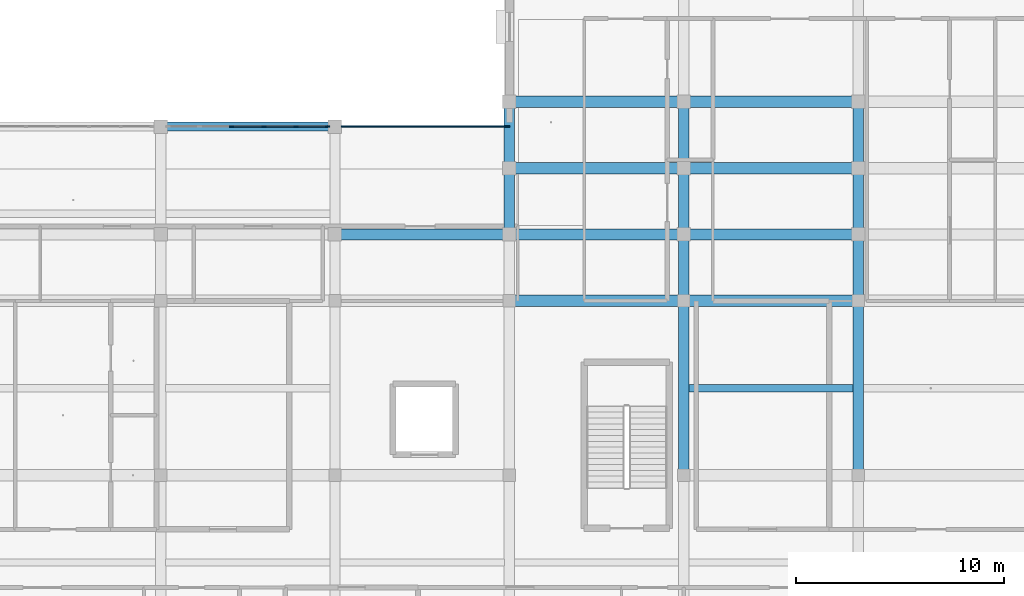
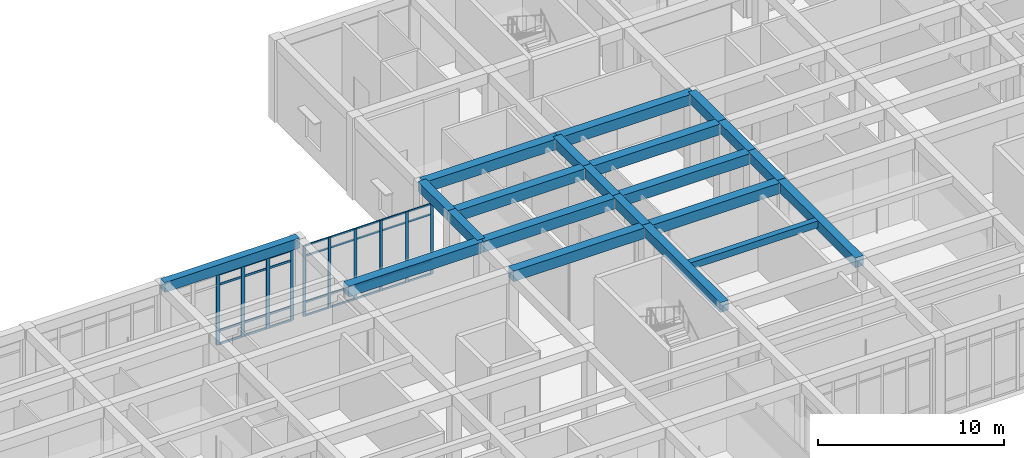
# One storey, part 44 of 157: 42 members, 21 beams, 2 elements without a shape of their own.
"""IFC4 building model written with IfcOpenShell, lengths in metres."""

import ifcopenshell
import ifcopenshell.guid

model = None  # the IFC model being written
_history = None  # IfcOwnerHistory: only IFC2X3 demands one
_inside = {}  # id of a spatial element -> (the spatial element, [elements in it])
_under = {}  # id of a project, library or spatial element -> (it, [spatial elements below it])
_declared = {}  # id of a project -> (the project, [libraries it declares])
_typed = {}  # id of a type object -> (the type object, [elements of that type])
_made_of = {}  # id of a material, layer set ... -> (it, [elements and type objects made of it])


def new_model(schema):
    """Start an empty IFC model of exactly this schema.

    Asked for "IFC4X3", IfcOpenShell would pick the latest addendum, in which some entities
    have other attributes; the version numbers below select the first issue.
    IFC2X3 requires an IfcOwnerHistory on every rooted entity: one is made here for all.
    """
    global model, _history
    if schema == "IFC4X3":
        model = ifcopenshell.file(schema_version=(4, 3, 0, 0))
    else:
        model = ifcopenshell.file(schema=schema)
    _inside.clear()
    _under.clear()
    _declared.clear()
    _typed.clear()
    _made_of.clear()
    _history = None
    if model.schema == "IFC2X3":
        org = make("IfcOrganization", Name="unknown")
        user = make(
            "IfcPersonAndOrganization",
            ThePerson=make("IfcPerson", FamilyName="unknown"),
            TheOrganization=org,
        )
        app = make(
            "IfcApplication",
            ApplicationDeveloper=org,
            Version="unknown",
            ApplicationFullName="unknown",
            ApplicationIdentifier="unknown",
        )
        _history = make(
            "IfcOwnerHistory",
            OwningUser=user,
            OwningApplication=app,
            ChangeAction="ADDED",
            CreationDate=0,
        )
    return model


def make(cls, **values):
    """One entity of the class cls with the attributes given. An attribute that is None is left unset."""
    return model.create_entity(
        cls, **{name: value for name, value in values.items() if value is not None}
    )


def rooted(cls, **values):
    """An entity with a GlobalId (a new one), such as an element, a storey or a relation."""
    return make(cls, GlobalId=ifcopenshell.guid.new(), OwnerHistory=_history, **values)


def si_unit(unit_type, name, prefix=None):
    """IfcSIUnit, for example si_unit("LENGTHUNIT", "METRE", prefix="MILLI")."""
    return make("IfcSIUnit", UnitType=unit_type, Prefix=prefix, Name=name)


def assignment(units):
    """IfcUnitAssignment: the units of a project."""
    return None if units is None else make("IfcUnitAssignment", Units=units)


def point(xyz):
    """IfcCartesianPoint."""
    return None if xyz is None else make("IfcCartesianPoint", Coordinates=xyz)


def direction(xyz):
    """IfcDirection."""
    return None if xyz is None else make("IfcDirection", DirectionRatios=xyz)


def frame(location, z_axis=None, x_axis=None):
    """IfcAxis2Placement3D, a coordinate frame: its origin and axes. An axis left out is left unset."""
    return make(
        "IfcAxis2Placement3D",
        Location=point(location),
        Axis=direction(z_axis),
        RefDirection=direction(x_axis),
    )


def frame_2d(location, x_axis=None):
    """IfcAxis2Placement2D, a coordinate frame in the plane: its origin and x axis."""
    return make(
        "IfcAxis2Placement2D", Location=point(location), RefDirection=direction(x_axis)
    )


def origin():
    """The frame at (0, 0, 0) with its axes left unset."""
    return frame((0.0, 0.0, 0.0))


def origin_2d():
    """The frame at (0, 0) in the plane with its x axis left unset."""
    return frame_2d((0.0, 0.0))


def place(relative_to, where):
    """IfcLocalPlacement: puts the frame where relative to a parent placement (None: the world)."""
    return make(
        "IfcLocalPlacement", PlacementRelTo=relative_to, RelativePlacement=where
    )


def context(
    kind, dimensions, precision=None, world=None, true_north=None, identifier=None
):
    """IfcGeometricRepresentationContext, for example the 3D "Model" context."""
    return make(
        "IfcGeometricRepresentationContext",
        ContextIdentifier=identifier,
        ContextType=kind,
        CoordinateSpaceDimension=dimensions,
        Precision=precision,
        WorldCoordinateSystem=world,
        TrueNorth=true_north,
    )


def subcontext(parent, identifier, kind, view, scale=None):
    """IfcGeometricRepresentationSubContext, for example "Body" below "Model"."""
    return make(
        "IfcGeometricRepresentationSubContext",
        ContextIdentifier=identifier,
        ContextType=kind,
        ParentContext=parent,
        TargetScale=scale,
        TargetView=view,
    )


def project(units=None, contexts=None):
    """IfcProject with its units and contexts."""
    return rooted(
        "IfcProject",
        Name="project",
        RepresentationContexts=contexts,
        UnitsInContext=assignment(units),
    )


def spatial(cls, under=None, at=None, **own):
    """A site, building, storey or space (cls), placed at a placement, below another one or the project."""
    s = rooted(cls, ObjectPlacement=at, **own)
    if under is not None:
        _under.setdefault(under.id(), (under, []))[1].append(s)
    return s


def profile(cls, at=None, kind="AREA", **sizes):
    """A parametric profile (cls). Its sizes go by their IFC names, for example OverallWidth=200.0."""
    return make(cls, ProfileType=kind, Position=at, **sizes)


def rectangle(**sizes):
    """IfcRectangleProfileDef."""
    return profile("IfcRectangleProfileDef", **sizes)


def extrude(swept, where, along, depth):
    """IfcExtrudedAreaSolid: the profile swept, set in the frame where, extruded along a direction by depth."""
    return make(
        "IfcExtrudedAreaSolid",
        SweptArea=swept,
        Position=where,
        ExtrudedDirection=direction(along),
        Depth=depth,
    )


def shape(context_of_items, identifier, shape_type, items):
    """IfcShapeRepresentation: the items that make up one representation, for example the "Body"."""
    return make(
        "IfcShapeRepresentation",
        ContextOfItems=context_of_items,
        RepresentationIdentifier=identifier,
        RepresentationType=shape_type,
        Items=items,
    )


def material(Name=None, Category=None):
    """IfcMaterial."""
    return make("IfcMaterial", Name=Name, Category=Category)


def material_profile(
    of_material, cross_section, Name=None, Category=None, Priority=None
):
    """IfcMaterialProfile: a cross section and its material."""
    return make(
        "IfcMaterialProfile",
        Name=Name,
        Material=of_material,
        Profile=cross_section,
        Priority=Priority,
        Category=Category,
    )


def profile_set(profiles, Name=None, composite=None):
    """IfcMaterialProfileSet."""
    return make(
        "IfcMaterialProfileSet",
        Name=Name,
        MaterialProfiles=profiles,
        CompositeProfile=composite,
    )


def made_of(thing, what):
    """Note that an element or type object is made of a material, layer set ...; save() writes the relation."""
    if what is not None:
        _made_of.setdefault(what.id(), (what, []))[1].append(thing)
    return thing


def type_object(cls, material=None, **own):
    """A type object (cls), such as IfcWallType, which elements share."""
    return made_of(rooted(cls, **own), material)


def element(
    cls,
    number,
    at=None,
    inside=None,
    cuts=None,
    type_object=None,
    material=None,
    context=None,
    identifier="Body",
    shape_type=None,
    held_by="IfcProductDefinitionShape",
    body=None,
    shapes=None,
    **own,
):
    """One element of the class cls, such as IfcWall. Its Tag is "e" and its number.

    at: its placement. inside: the storey or other place that contains it. cuts: it is an
    opening in that element (IfcRelVoidsElement). A single representation is given by context,
    identifier, shape_type and body (its items); several are given by shapes. held_by: the class
    of the entity that holds the representations. save() writes the other relations.
    """
    e = rooted(cls, Tag="e%d" % number, ObjectPlacement=at, **own)
    if body is not None:
        shapes = [shape(context, identifier, shape_type, body)]
    if shapes is not None:
        e.Representation = make(held_by, Representations=shapes)
    if inside is not None:
        _inside.setdefault(inside.id(), (inside, []))[1].append(e)
    if cuts is not None:
        rooted(
            "IfcRelVoidsElement", RelatingBuildingElement=cuts, RelatedOpeningElement=e
        )
    if type_object is not None:
        _typed.setdefault(type_object.id(), (type_object, []))[1].append(e)
    return made_of(e, material)


def aggregate(whole, parts):
    """IfcRelAggregates: a whole, such as a stair, and the parts it consists of."""
    return rooted("IfcRelAggregates", RelatingObject=whole, RelatedObjects=parts)


def save(model, path):
    """Write the relations noted so far, then the file.

    IfcRelAggregates (storeys below a building ...), IfcRelContainedInSpatialStructure (elements
    in a storey), IfcRelDefinesByType, IfcRelAssociatesMaterial and IfcRelDeclares: one each for
    every whole, place, type object, material and project.
    """
    for whole, parts in _under.values():
        aggregate(whole, parts)
    for where, things in _inside.values():
        rooted(
            "IfcRelContainedInSpatialStructure",
            RelatedElements=things,
            RelatingStructure=where,
        )
    for kind, things in _typed.values():
        rooted("IfcRelDefinesByType", RelatedObjects=things, RelatingType=kind)
    for what, things in _made_of.values():
        rooted("IfcRelAssociatesMaterial", RelatedObjects=things, RelatingMaterial=what)
    for by, libraries in _declared.values():
        rooted("IfcRelDeclares", RelatingContext=by, RelatedDefinitions=libraries)
    model.write(path)


model = new_model("IFC4")

# Units and contexts
model_context = context("Model", 3, precision=1e-05, world=origin(), true_north=direction((0.0, 1.0)))
body_context = subcontext(model_context, "Body", "Model", "MODEL_VIEW")
ifc_project = project(units=[si_unit("LENGTHUNIT", "METRE"), si_unit("AREAUNIT", "SQUARE_METRE"), si_unit("VOLUMEUNIT", "CUBIC_METRE"), si_unit("PLANEANGLEUNIT", "RADIAN"), si_unit("MASSUNIT", "GRAM", prefix="KILO")], contexts=[model_context])

# Site, building, storey
site_placement = place(None, origin())
site = spatial("IfcSite", under=ifc_project, at=site_placement, CompositionType="ELEMENT")
building_placement = place(site_placement, origin())
building = spatial("IfcBuilding", under=site, at=building_placement, Name="Varncliffe General Hospital", CompositionType="ELEMENT")
storey_placement = place(building_placement, frame((0.0, 0.0, 5.39990234375)))
storey = spatial("IfcBuildingStorey", under=building, at=storey_placement, Name="L01", CompositionType="ELEMENT", Elevation=5.39990234375)

# Beams
ifc_material_1 = material(Name="Concrete C35/45 (CSA A23.1 35 MPa)", Category="concrete")
ifc_material_profile_1 = material_profile(ifc_material_1, rectangle(XDim=0.5, YDim=0.64990234375, at=origin_2d()), Name="RC 500x650")
ifc_profile_set_1 = profile_set([ifc_material_profile_1], Name="Concrete C35/45 (CSA A23.1 35 MPa)")
beam_type_1 = type_object("IfcBeamType", Name="Beam B29 (Int RC 500x650)", PredefinedType="BEAM", material=ifc_profile_set_1)
for number, where, z_axis, x_axis, name in (
    (1, (109.199951171875, 102.800048828125, 5.0751953125), (0.0, 1.0, 0.0), (-1.0, 0.0, 0.0), "L01 Primary Beam B29-413"),
    (2, (109.199951171875, 106.0, 5.0751953125), (0.0, 1.0, 0.0), (-1.0, 0.0, 0.0), "L01 Primary Beam B29-414"),
):
    element("IfcBeam", number, at=place(storey_placement, frame(where, z_axis=z_axis, x_axis=x_axis)), inside=storey, type_object=beam_type_1, Name=name, PredefinedType="BEAM", context=body_context, shape_type="SweptSolid", body=[
        extrude(rectangle(XDim=0.5, YDim=0.64990234375, at=origin_2d()), origin(), (0.0, 0.0, 1.0), 3.199951171875),
    ])
beam_1_placement = place(storey_placement, frame((117.60009765625, 91.199951171875, 5.0751953125), z_axis=(0.0, 1.0, 0.0), x_axis=(-1.0, 0.0, 0.0)))
element("IfcBeam", 3, at=beam_1_placement, inside=storey, type_object=beam_type_1, Name="L01 Primary Beam B29-427", PredefinedType="BEAM", context=body_context, shape_type="SweptSolid", body=[
    extrude(rectangle(XDim=0.5, YDim=0.64990234375, at=origin_2d()), origin(), (0.0, 0.0, 1.0), 8.400146484375),
])
for number, where, z_axis, x_axis, name in (
    (4, (117.60009765625, 99.60009765625, 5.0751953125), (0.0, 1.0, 0.0), (-1.0, 0.0, 0.0), "L01 Primary Beam B29-428"),
    (5, (117.60009765625, 102.800048828125, 5.0751953125), (0.0, 1.0, 0.0), (-1.0, 0.0, 0.0), "L01 Primary Beam B29-429"),
    (6, (117.60009765625, 106.0, 5.0751953125), (0.0, 1.0, 0.0), (-1.0, 0.0, 0.0), "L01 Primary Beam B29-430"),
):
    element("IfcBeam", number, at=place(storey_placement, frame(where, z_axis=z_axis, x_axis=x_axis)), inside=storey, type_object=beam_type_1, Name=name, PredefinedType="BEAM", context=body_context, shape_type="SweptSolid", body=[
        extrude(rectangle(XDim=0.5, YDim=0.64990234375, at=origin_2d()), origin(), (0.0, 0.0, 1.0), 3.199951171875),
    ])
beam_2_placement = place(storey_placement, frame((126.0, 91.199951171875, 5.0751953125), z_axis=(0.0, 1.0, 0.0), x_axis=(-1.0, 0.0, 0.0)))
element("IfcBeam", 7, at=beam_2_placement, inside=storey, type_object=beam_type_1, Name="L01 Primary Beam B29-436", PredefinedType="BEAM", context=body_context, shape_type="SweptSolid", body=[
    extrude(rectangle(XDim=0.5, YDim=0.64990234375, at=origin_2d()), origin(), (0.0, 0.0, 1.0), 8.400146484375),
])
for number, where, z_axis, x_axis, name in (
    (8, (126.0, 99.60009765625, 5.0751953125), (0.0, 1.0, 0.0), (-1.0, 0.0, 0.0), "L01 Primary Beam B29-437"),
    (9, (126.0, 102.800048828125, 5.0751953125), (0.0, 1.0, 0.0), (-1.0, 0.0, 0.0), "L01 Primary Beam B29-438"),
    (10, (126.0, 106.0, 5.0751953125), (0.0, 1.0, 0.0), (-1.0, 0.0, 0.0), "L01 Primary Beam B29-439"),
):
    element("IfcBeam", number, at=place(storey_placement, frame(where, z_axis=z_axis, x_axis=x_axis)), inside=storey, type_object=beam_type_1, Name=name, PredefinedType="BEAM", context=body_context, shape_type="SweptSolid", body=[
        extrude(rectangle(XDim=0.5, YDim=0.64990234375, at=origin_2d()), origin(), (0.0, 0.0, 1.0), 3.199951171875),
    ])
ifc_material_profile_2 = material_profile(ifc_material_1, rectangle(XDim=0.550048828125, YDim=0.699951171875, at=origin_2d()), Name="RC 550x700")
ifc_profile_set_2 = profile_set([ifc_material_profile_2], Name="Concrete C35/45 (CSA A23.1 35 MPa)")
beam_type_2 = type_object("IfcBeamType", Name="Beam B35 (Int RC 550x700)", PredefinedType="BEAM", material=ifc_profile_set_2)
beam_3_placement = place(storey_placement, frame((109.199951171875, 99.60009765625, 5.050048828125), z_axis=(1.0, 0.0, 0.0), x_axis=(0.0, 1.0, 0.0)))
element("IfcBeam", 11, at=beam_3_placement, inside=storey, type_object=beam_type_2, Name="L01 Primary Beam B35-163", PredefinedType="BEAM", context=body_context, shape_type="SweptSolid", body=[
    extrude(rectangle(XDim=0.550048828125, YDim=0.699951171875, at=origin_2d()), origin(), (0.0, 0.0, 1.0), 8.400146484375),
])
for number, where, z_axis, x_axis, name in (
    (12, (117.60009765625, 99.60009765625, 5.050048828125), (1.0, 0.0, 0.0), (0.0, 1.0, 0.0), "L01 Primary Beam B35-164"),
    (13, (100.800048828125, 102.800048828125, 5.050048828125), (1.0, 0.0, 0.0), (0.0, 1.0, 0.0), "L01 Primary Beam B35-183"),
):
    element("IfcBeam", number, at=place(storey_placement, frame(where, z_axis=z_axis, x_axis=x_axis)), inside=storey, type_object=beam_type_2, Name=name, PredefinedType="BEAM", context=body_context, shape_type="SweptSolid", body=[
        extrude(rectangle(XDim=0.550048828125, YDim=0.699951171875, at=origin_2d()), origin(), (0.0, 0.0, 1.0), 8.39990234375),
    ])
beam_4_placement = place(storey_placement, frame((109.199951171875, 102.800048828125, 5.050048828125), z_axis=(1.0, 0.0, 0.0), x_axis=(0.0, 1.0, 0.0)))
element("IfcBeam", 14, at=beam_4_placement, inside=storey, type_object=beam_type_2, Name="L01 Primary Beam B35-184", PredefinedType="BEAM", context=body_context, shape_type="SweptSolid", body=[
    extrude(rectangle(XDim=0.550048828125, YDim=0.699951171875, at=origin_2d()), origin(), (0.0, 0.0, 1.0), 8.400146484375),
])
beam_5_placement = place(storey_placement, frame((117.60009765625, 102.800048828125, 5.050048828125), z_axis=(1.0, 0.0, 0.0), x_axis=(0.0, 1.0, 0.0)))
element("IfcBeam", 15, at=beam_5_placement, inside=storey, type_object=beam_type_2, Name="L01 Primary Beam B35-185", PredefinedType="BEAM", context=body_context, shape_type="SweptSolid", body=[
    extrude(rectangle(XDim=0.550048828125, YDim=0.699951171875, at=origin_2d()), origin(), (0.0, 0.0, 1.0), 8.39990234375),
])
beam_6_placement = place(storey_placement, frame((109.199951171875, 106.0, 5.050048828125), z_axis=(1.0, 0.0, 0.0), x_axis=(0.0, 1.0, 0.0)))
element("IfcBeam", 16, at=beam_6_placement, inside=storey, type_object=beam_type_2, Name="L01 Primary Beam B35-200", PredefinedType="BEAM", context=body_context, shape_type="SweptSolid", body=[
    extrude(rectangle(XDim=0.550048828125, YDim=0.699951171875, at=origin_2d()), origin(), (0.0, 0.0, 1.0), 8.400146484375),
])
beam_7_placement = place(storey_placement, frame((117.60009765625, 106.0, 5.050048828125), z_axis=(1.0, 0.0, 0.0), x_axis=(0.0, 1.0, 0.0)))
element("IfcBeam", 17, at=beam_7_placement, inside=storey, type_object=beam_type_2, Name="L01 Primary Beam B35-201", PredefinedType="BEAM", context=body_context, shape_type="SweptSolid", body=[
    extrude(rectangle(XDim=0.550048828125, YDim=0.699951171875, at=origin_2d()), origin(), (0.0, 0.0, 1.0), 8.39990234375),
])
beam_8_placement = place(storey_placement, frame((109.199951171875, 109.199951171875, 5.050048828125), z_axis=(1.0, 0.0, 0.0), x_axis=(0.0, 1.0, 0.0)))
element("IfcBeam", 18, at=beam_8_placement, inside=storey, type_object=beam_type_2, Name="L01 Primary Beam B35-219", PredefinedType="BEAM", context=body_context, shape_type="SweptSolid", body=[
    extrude(rectangle(XDim=0.550048828125, YDim=0.699951171875, at=origin_2d()), origin(), (0.0, 0.0, 1.0), 8.400146484375),
])
beam_9_placement = place(storey_placement, frame((117.60009765625, 109.199951171875, 5.050048828125), z_axis=(1.0, 0.0, 0.0), x_axis=(0.0, 1.0, 0.0)))
element("IfcBeam", 19, at=beam_9_placement, inside=storey, type_object=beam_type_2, Name="L01 Primary Beam B35-220", PredefinedType="BEAM", context=body_context, shape_type="SweptSolid", body=[
    extrude(rectangle(XDim=0.550048828125, YDim=0.699951171875, at=origin_2d()), origin(), (0.0, 0.0, 1.0), 8.39990234375),
])

# Curtain wall, members
ifc_material_2 = material(Name="Triple low-E argon insulated vision glazing", Category="glass")
curtain_wall_type_1 = type_object("IfcCurtainWallType", Name="Unitised Glazed Curtain Wall CW65 (7997x4640)", PredefinedType="USERDEFINED", material=ifc_material_2)
curtain_wall_1_placement = place(storey_placement, origin())
curtain_wall_1 = element("IfcCurtainWall", 20, at=curtain_wall_1_placement, inside=storey, type_object=curtain_wall_type_1, Name="L01 Glazed Curtain Wall CW65-43", ObjectType="GLAZED CURTAIN WALL", PredefinedType="USERDEFINED")
ifc_material_3 = material(Name="Dark bronze thermally broken aluminium framing", Category="aluminium")
ifc_material_profile_3 = material_profile(ifc_material_3, rectangle(XDim=0.074951171875, YDim=0.179931640625, at=origin_2d()), Name="ALU 75x180")
ifc_profile_set_3 = profile_set([ifc_material_profile_3], Name="Dark bronze thermally broken aluminium framing")
member_type_1 = type_object("IfcMemberType", Name="Curtain Wall Mullion CM44 (ALU 75x180)", PredefinedType="MULLION", material=ifc_profile_set_3)
member_1_placement = place(storey_placement, frame((101.200439453125, 108.0, 0.0), z_axis=(0.0, 0.0, 1.0), x_axis=(0.0, 1.0, 0.0)))
member_1 = element("IfcMember", 21, at=member_1_placement, type_object=member_type_1, Name="CW65 mullion 1", PredefinedType="MULLION", context=body_context, shape_type="SweptSolid", body=[
    extrude(rectangle(XDim=0.074951171875, YDim=0.179931640625, at=origin_2d()), origin(), (0.0, 0.0, 1.0), 4.64013671875),
])
member_2_placement = place(storey_placement, frame((102.762451171875, 108.0, 0.0), z_axis=(0.0, 0.0, 1.0), x_axis=(0.0, 1.0, 0.0)))
member_2 = element("IfcMember", 22, at=member_2_placement, type_object=member_type_1, Name="CW65 mullion 2", PredefinedType="MULLION", context=body_context, shape_type="SweptSolid", body=[
    extrude(rectangle(XDim=0.074951171875, YDim=0.179931640625, at=origin_2d()), origin(), (0.0, 0.0, 1.0), 4.64013671875),
])
member_3_placement = place(storey_placement, frame((104.36181640625, 108.0, 0.0), z_axis=(0.0, 0.0, 1.0), x_axis=(0.0, 1.0, 0.0)))
member_3 = element("IfcMember", 23, at=member_3_placement, type_object=member_type_1, Name="CW65 mullion 3", PredefinedType="MULLION", context=body_context, shape_type="SweptSolid", body=[
    extrude(rectangle(XDim=0.074951171875, YDim=0.179931640625, at=origin_2d()), origin(), (0.0, 0.0, 1.0), 4.64013671875),
])
member_4_placement = place(storey_placement, frame((105.961181640625, 108.0, 0.0), z_axis=(0.0, 0.0, 1.0), x_axis=(0.0, 1.0, 0.0)))
member_4 = element("IfcMember", 24, at=member_4_placement, type_object=member_type_1, Name="CW65 mullion 4", PredefinedType="MULLION", context=body_context, shape_type="SweptSolid", body=[
    extrude(rectangle(XDim=0.074951171875, YDim=0.179931640625, at=origin_2d()), origin(), (0.0, 0.0, 1.0), 4.64013671875),
])
member_5_placement = place(storey_placement, frame((107.560546875, 108.0, 0.0), z_axis=(0.0, 0.0, 1.0), x_axis=(0.0, 1.0, 0.0)))
member_5 = element("IfcMember", 25, at=member_5_placement, type_object=member_type_1, Name="CW65 mullion 5", PredefinedType="MULLION", context=body_context, shape_type="SweptSolid", body=[
    extrude(rectangle(XDim=0.074951171875, YDim=0.179931640625, at=origin_2d()), origin(), (0.0, 0.0, 1.0), 4.64013671875),
])
member_6_placement = place(storey_placement, frame((109.12255859375, 108.0, 0.0), z_axis=(0.0, 0.0, 1.0), x_axis=(0.0, 1.0, 0.0)))
member_6 = element("IfcMember", 26, at=member_6_placement, type_object=member_type_1, Name="CW65 mullion 6", PredefinedType="MULLION", context=body_context, shape_type="SweptSolid", body=[
    extrude(rectangle(XDim=0.074951171875, YDim=0.179931640625, at=origin_2d()), origin(), (0.0, 0.0, 1.0), 4.64013671875),
])

curtain_wall_type_2 = type_object("IfcCurtainWallType", Name="Unitised Glazed Curtain Wall CW66 (7754x4640)", PredefinedType="USERDEFINED", material=ifc_material_2)
curtain_wall_2_placement = place(storey_placement, origin())
curtain_wall_2 = element("IfcCurtainWall", 27, at=curtain_wall_2_placement, inside=storey, type_object=curtain_wall_type_2, Name="L01 Glazed Curtain Wall CW66-42", ObjectType="GLAZED CURTAIN WALL", PredefinedType="USERDEFINED")
ifc_material_profile_4 = material_profile(ifc_material_3, rectangle(XDim=0.074951171875, YDim=0.219970703125, at=origin_2d()), Name="ALU 75x220")
ifc_profile_set_4 = profile_set([ifc_material_profile_4], Name="Dark bronze thermally broken aluminium framing")
member_type_2 = type_object("IfcMemberType", Name="Curtain Wall Mullion CM74 (ALU 75x220)", PredefinedType="MULLION", material=ifc_profile_set_4)
member_7_placement = place(storey_placement, frame((95.82470703125, 108.0, 0.0), z_axis=(0.0, 0.0, 1.0), x_axis=(0.0, 1.0, 0.0)))
member_7 = element("IfcMember", 28, at=member_7_placement, type_object=member_type_2, Name="CW66 mullion 3", PredefinedType="MULLION", context=body_context, shape_type="SweptSolid", body=[
    extrude(rectangle(XDim=0.074951171875, YDim=0.219970703125, at=origin_2d()), origin(), (0.0, 0.0, 1.0), 4.64013671875),
])
member_8_placement = place(storey_placement, frame((97.37548828125, 108.0, 0.0), z_axis=(0.0, 0.0, 1.0), x_axis=(0.0, 1.0, 0.0)))
member_8 = element("IfcMember", 29, at=member_8_placement, type_object=member_type_2, Name="CW66 mullion 4", PredefinedType="MULLION", context=body_context, shape_type="SweptSolid", body=[
    extrude(rectangle(XDim=0.074951171875, YDim=0.219970703125, at=origin_2d()), origin(), (0.0, 0.0, 1.0), 4.64013671875),
])
member_9_placement = place(storey_placement, frame((98.92626953125, 108.0, 0.0), z_axis=(0.0, 0.0, 1.0), x_axis=(0.0, 1.0, 0.0)))
member_9 = element("IfcMember", 30, at=member_9_placement, type_object=member_type_2, Name="CW66 mullion 5", PredefinedType="MULLION", context=body_context, shape_type="SweptSolid", body=[
    extrude(rectangle(XDim=0.074951171875, YDim=0.219970703125, at=origin_2d()), origin(), (0.0, 0.0, 1.0), 4.64013671875),
])
member_10_placement = place(storey_placement, frame((100.439453125, 108.0, 0.0), z_axis=(0.0, 0.0, 1.0), x_axis=(0.0, 1.0, 0.0)))
member_10 = element("IfcMember", 31, at=member_10_placement, type_object=member_type_2, Name="CW66 mullion 6", PredefinedType="MULLION", context=body_context, shape_type="SweptSolid", body=[
    extrude(rectangle(XDim=0.074951171875, YDim=0.219970703125, at=origin_2d()), origin(), (0.0, 0.0, 1.0), 4.64013671875),
])

# Member
ifc_material_profile_5 = material_profile(ifc_material_3, rectangle(XDim=0.06005859375, YDim=0.1201171875, at=origin_2d()), Name="ALU 60x120")
ifc_profile_set_5 = profile_set([ifc_material_profile_5], Name="Dark bronze thermally broken aluminium framing")
member_type_3 = type_object("IfcMemberType", Name="Curtain Wall Transom CT14 (ALU 60x120)", PredefinedType="USERDEFINED", material=ifc_profile_set_5)
member_11_placement = place(storey_placement, frame((101.238037109375, 108.0, 0.030029296875), z_axis=(1.0, 0.0, 0.0), x_axis=(0.0, 1.0, 0.0)))
member_11 = element("IfcMember", 32, at=member_11_placement, type_object=member_type_3, Name="CW65 transom 1.1", ObjectType="TRANSOM", PredefinedType="USERDEFINED", context=body_context, shape_type="SweptSolid", body=[
    extrude(rectangle(XDim=0.06005859375, YDim=0.1201171875, at=origin_2d()), origin(), (0.0, 0.0, 1.0), 1.48681640625),
])

member_12_placement = place(storey_placement, frame((101.238037109375, 108.0, 0.900146484375), z_axis=(1.0, 0.0, 0.0), x_axis=(0.0, 1.0, 0.0)))
member_12 = element("IfcMember", 33, at=member_12_placement, type_object=member_type_3, Name="CW65 transom 1.2", ObjectType="TRANSOM", PredefinedType="USERDEFINED", context=body_context, shape_type="SweptSolid", body=[
    extrude(rectangle(XDim=0.06005859375, YDim=0.1201171875, at=origin_2d()), origin(), (0.0, 0.0, 1.0), 1.48681640625),
])

member_13_placement = place(storey_placement, frame((101.238037109375, 108.0, 3.940185546875), z_axis=(1.0, 0.0, 0.0), x_axis=(0.0, 1.0, 0.0)))
member_13 = element("IfcMember", 34, at=member_13_placement, type_object=member_type_3, Name="CW65 transom 1.3", ObjectType="TRANSOM", PredefinedType="USERDEFINED", context=body_context, shape_type="SweptSolid", body=[
    extrude(rectangle(XDim=0.06005859375, YDim=0.1201171875, at=origin_2d()), origin(), (0.0, 0.0, 1.0), 1.48681640625),
])

member_14_placement = place(storey_placement, frame((101.238037109375, 108.0, 4.610107421875), z_axis=(1.0, 0.0, 0.0), x_axis=(0.0, 1.0, 0.0)))
member_14 = element("IfcMember", 35, at=member_14_placement, type_object=member_type_3, Name="CW65 transom 1.4", ObjectType="TRANSOM", PredefinedType="USERDEFINED", context=body_context, shape_type="SweptSolid", body=[
    extrude(rectangle(XDim=0.06005859375, YDim=0.1201171875, at=origin_2d()), origin(), (0.0, 0.0, 1.0), 1.48681640625),
])

member_15_placement = place(storey_placement, frame((102.7998046875, 108.0, 0.030029296875), z_axis=(1.0, 0.0, 0.0), x_axis=(0.0, 1.0, 0.0)))
member_15 = element("IfcMember", 36, at=member_15_placement, type_object=member_type_3, Name="CW65 transom 2.1", ObjectType="TRANSOM", PredefinedType="USERDEFINED", context=body_context, shape_type="SweptSolid", body=[
    extrude(rectangle(XDim=0.06005859375, YDim=0.1201171875, at=origin_2d()), origin(), (0.0, 0.0, 1.0), 1.5244140625),
])

member_16_placement = place(storey_placement, frame((102.7998046875, 108.0, 0.900146484375), z_axis=(1.0, 0.0, 0.0), x_axis=(0.0, 1.0, 0.0)))
member_16 = element("IfcMember", 37, at=member_16_placement, type_object=member_type_3, Name="CW65 transom 2.2", ObjectType="TRANSOM", PredefinedType="USERDEFINED", context=body_context, shape_type="SweptSolid", body=[
    extrude(rectangle(XDim=0.06005859375, YDim=0.1201171875, at=origin_2d()), origin(), (0.0, 0.0, 1.0), 1.5244140625),
])

member_17_placement = place(storey_placement, frame((102.7998046875, 108.0, 3.940185546875), z_axis=(1.0, 0.0, 0.0), x_axis=(0.0, 1.0, 0.0)))
member_17 = element("IfcMember", 38, at=member_17_placement, type_object=member_type_3, Name="CW65 transom 2.3", ObjectType="TRANSOM", PredefinedType="USERDEFINED", context=body_context, shape_type="SweptSolid", body=[
    extrude(rectangle(XDim=0.06005859375, YDim=0.1201171875, at=origin_2d()), origin(), (0.0, 0.0, 1.0), 1.5244140625),
])

member_18_placement = place(storey_placement, frame((102.7998046875, 108.0, 4.610107421875), z_axis=(1.0, 0.0, 0.0), x_axis=(0.0, 1.0, 0.0)))
member_18 = element("IfcMember", 39, at=member_18_placement, type_object=member_type_3, Name="CW65 transom 2.4", ObjectType="TRANSOM", PredefinedType="USERDEFINED", context=body_context, shape_type="SweptSolid", body=[
    extrude(rectangle(XDim=0.06005859375, YDim=0.1201171875, at=origin_2d()), origin(), (0.0, 0.0, 1.0), 1.5244140625),
])

member_19_placement = place(storey_placement, frame((104.3994140625, 108.0, 0.030029296875), z_axis=(1.0, 0.0, 0.0), x_axis=(0.0, 1.0, 0.0)))
member_19 = element("IfcMember", 40, at=member_19_placement, type_object=member_type_3, Name="CW65 transom 3.1", ObjectType="TRANSOM", PredefinedType="USERDEFINED", context=body_context, shape_type="SweptSolid", body=[
    extrude(rectangle(XDim=0.06005859375, YDim=0.1201171875, at=origin_2d()), origin(), (0.0, 0.0, 1.0), 1.524169921875),
])

member_20_placement = place(storey_placement, frame((104.3994140625, 108.0, 0.900146484375), z_axis=(1.0, 0.0, 0.0), x_axis=(0.0, 1.0, 0.0)))
member_20 = element("IfcMember", 41, at=member_20_placement, type_object=member_type_3, Name="CW65 transom 3.2", ObjectType="TRANSOM", PredefinedType="USERDEFINED", context=body_context, shape_type="SweptSolid", body=[
    extrude(rectangle(XDim=0.06005859375, YDim=0.1201171875, at=origin_2d()), origin(), (0.0, 0.0, 1.0), 1.524169921875),
])

member_21_placement = place(storey_placement, frame((104.3994140625, 108.0, 3.940185546875), z_axis=(1.0, 0.0, 0.0), x_axis=(0.0, 1.0, 0.0)))
member_21 = element("IfcMember", 42, at=member_21_placement, type_object=member_type_3, Name="CW65 transom 3.3", ObjectType="TRANSOM", PredefinedType="USERDEFINED", context=body_context, shape_type="SweptSolid", body=[
    extrude(rectangle(XDim=0.06005859375, YDim=0.1201171875, at=origin_2d()), origin(), (0.0, 0.0, 1.0), 1.524169921875),
])

member_22_placement = place(storey_placement, frame((104.3994140625, 108.0, 4.610107421875), z_axis=(1.0, 0.0, 0.0), x_axis=(0.0, 1.0, 0.0)))
member_22 = element("IfcMember", 43, at=member_22_placement, type_object=member_type_3, Name="CW65 transom 3.4", ObjectType="TRANSOM", PredefinedType="USERDEFINED", context=body_context, shape_type="SweptSolid", body=[
    extrude(rectangle(XDim=0.06005859375, YDim=0.1201171875, at=origin_2d()), origin(), (0.0, 0.0, 1.0), 1.524169921875),
])

member_23_placement = place(storey_placement, frame((105.998779296875, 108.0, 0.030029296875), z_axis=(1.0, 0.0, 0.0), x_axis=(0.0, 1.0, 0.0)))
member_23 = element("IfcMember", 44, at=member_23_placement, type_object=member_type_3, Name="CW65 transom 4.1", ObjectType="TRANSOM", PredefinedType="USERDEFINED", context=body_context, shape_type="SweptSolid", body=[
    extrude(rectangle(XDim=0.06005859375, YDim=0.1201171875, at=origin_2d()), origin(), (0.0, 0.0, 1.0), 1.5244140625),
])

member_24_placement = place(storey_placement, frame((105.998779296875, 108.0, 0.900146484375), z_axis=(1.0, 0.0, 0.0), x_axis=(0.0, 1.0, 0.0)))
member_24 = element("IfcMember", 45, at=member_24_placement, type_object=member_type_3, Name="CW65 transom 4.2", ObjectType="TRANSOM", PredefinedType="USERDEFINED", context=body_context, shape_type="SweptSolid", body=[
    extrude(rectangle(XDim=0.06005859375, YDim=0.1201171875, at=origin_2d()), origin(), (0.0, 0.0, 1.0), 1.5244140625),
])

member_25_placement = place(storey_placement, frame((105.998779296875, 108.0, 3.940185546875), z_axis=(1.0, 0.0, 0.0), x_axis=(0.0, 1.0, 0.0)))
member_25 = element("IfcMember", 46, at=member_25_placement, type_object=member_type_3, Name="CW65 transom 4.3", ObjectType="TRANSOM", PredefinedType="USERDEFINED", context=body_context, shape_type="SweptSolid", body=[
    extrude(rectangle(XDim=0.06005859375, YDim=0.1201171875, at=origin_2d()), origin(), (0.0, 0.0, 1.0), 1.5244140625),
])

member_26_placement = place(storey_placement, frame((105.998779296875, 108.0, 4.610107421875), z_axis=(1.0, 0.0, 0.0), x_axis=(0.0, 1.0, 0.0)))
member_26 = element("IfcMember", 47, at=member_26_placement, type_object=member_type_3, Name="CW65 transom 4.4", ObjectType="TRANSOM", PredefinedType="USERDEFINED", context=body_context, shape_type="SweptSolid", body=[
    extrude(rectangle(XDim=0.06005859375, YDim=0.1201171875, at=origin_2d()), origin(), (0.0, 0.0, 1.0), 1.5244140625),
])

member_27_placement = place(storey_placement, frame((107.59814453125, 108.0, 0.030029296875), z_axis=(1.0, 0.0, 0.0), x_axis=(0.0, 1.0, 0.0)))
member_27 = element("IfcMember", 48, at=member_27_placement, type_object=member_type_3, Name="CW65 transom 5.1", ObjectType="TRANSOM", PredefinedType="USERDEFINED", context=body_context, shape_type="SweptSolid", body=[
    extrude(rectangle(XDim=0.06005859375, YDim=0.1201171875, at=origin_2d()), origin(), (0.0, 0.0, 1.0), 1.48681640625),
])

member_28_placement = place(storey_placement, frame((107.59814453125, 108.0, 0.900146484375), z_axis=(1.0, 0.0, 0.0), x_axis=(0.0, 1.0, 0.0)))
member_28 = element("IfcMember", 49, at=member_28_placement, type_object=member_type_3, Name="CW65 transom 5.2", ObjectType="TRANSOM", PredefinedType="USERDEFINED", context=body_context, shape_type="SweptSolid", body=[
    extrude(rectangle(XDim=0.06005859375, YDim=0.1201171875, at=origin_2d()), origin(), (0.0, 0.0, 1.0), 1.48681640625),
])

member_29_placement = place(storey_placement, frame((107.59814453125, 108.0, 3.940185546875), z_axis=(1.0, 0.0, 0.0), x_axis=(0.0, 1.0, 0.0)))
member_29 = element("IfcMember", 50, at=member_29_placement, type_object=member_type_3, Name="CW65 transom 5.3", ObjectType="TRANSOM", PredefinedType="USERDEFINED", context=body_context, shape_type="SweptSolid", body=[
    extrude(rectangle(XDim=0.06005859375, YDim=0.1201171875, at=origin_2d()), origin(), (0.0, 0.0, 1.0), 1.48681640625),
])

member_30_placement = place(storey_placement, frame((107.59814453125, 108.0, 4.610107421875), z_axis=(1.0, 0.0, 0.0), x_axis=(0.0, 1.0, 0.0)))
member_30 = element("IfcMember", 51, at=member_30_placement, type_object=member_type_3, Name="CW65 transom 5.4", ObjectType="TRANSOM", PredefinedType="USERDEFINED", context=body_context, shape_type="SweptSolid", body=[
    extrude(rectangle(XDim=0.06005859375, YDim=0.1201171875, at=origin_2d()), origin(), (0.0, 0.0, 1.0), 1.48681640625),
])

aggregate(curtain_wall_1, [member_1, member_2, member_3, member_4, member_5, member_6, member_11, member_12, member_13, member_14, member_15, member_16, member_17, member_18, member_19, member_20, member_21, member_22, member_23, member_24, member_25, member_26, member_27, member_28, member_29, member_30])

ifc_material_profile_6 = material_profile(ifc_material_3, rectangle(XDim=0.06494140625, YDim=0.139892578125, at=origin_2d()), Name="ALU 65x140")
ifc_profile_set_6 = profile_set([ifc_material_profile_6], Name="Dark bronze thermally broken aluminium framing")
member_type_4 = type_object("IfcMemberType", Name="Curtain Wall Transom CT69 (ALU 65x140)", PredefinedType="USERDEFINED", material=ifc_profile_set_6)
member_31_placement = place(storey_placement, frame((95.862060546875, 108.0, 0.03271484375), z_axis=(1.0, 0.0, 0.0), x_axis=(0.0, 1.0, 0.0)))
member_31 = element("IfcMember", 52, at=member_31_placement, type_object=member_type_4, Name="CW66 transom 3.1", ObjectType="TRANSOM", PredefinedType="USERDEFINED", context=body_context, shape_type="SweptSolid", body=[
    extrude(rectangle(XDim=0.06494140625, YDim=0.139892578125, at=origin_2d()), origin(), (0.0, 0.0, 1.0), 1.475830078125),
])

member_32_placement = place(storey_placement, frame((95.862060546875, 108.0, 0.900146484375), z_axis=(1.0, 0.0, 0.0), x_axis=(0.0, 1.0, 0.0)))
member_32 = element("IfcMember", 53, at=member_32_placement, type_object=member_type_4, Name="CW66 transom 3.2", ObjectType="TRANSOM", PredefinedType="USERDEFINED", context=body_context, shape_type="SweptSolid", body=[
    extrude(rectangle(XDim=0.06494140625, YDim=0.139892578125, at=origin_2d()), origin(), (0.0, 0.0, 1.0), 1.475830078125),
])

member_33_placement = place(storey_placement, frame((95.862060546875, 108.0, 3.940185546875), z_axis=(1.0, 0.0, 0.0), x_axis=(0.0, 1.0, 0.0)))
member_33 = element("IfcMember", 54, at=member_33_placement, type_object=member_type_4, Name="CW66 transom 3.3", ObjectType="TRANSOM", PredefinedType="USERDEFINED", context=body_context, shape_type="SweptSolid", body=[
    extrude(rectangle(XDim=0.06494140625, YDim=0.139892578125, at=origin_2d()), origin(), (0.0, 0.0, 1.0), 1.475830078125),
])

member_34_placement = place(storey_placement, frame((95.862060546875, 108.0, 4.607666015625), z_axis=(1.0, 0.0, 0.0), x_axis=(0.0, 1.0, 0.0)))
member_34 = element("IfcMember", 55, at=member_34_placement, type_object=member_type_4, Name="CW66 transom 3.4", ObjectType="TRANSOM", PredefinedType="USERDEFINED", context=body_context, shape_type="SweptSolid", body=[
    extrude(rectangle(XDim=0.06494140625, YDim=0.139892578125, at=origin_2d()), origin(), (0.0, 0.0, 1.0), 1.475830078125),
])

member_35_placement = place(storey_placement, frame((97.412841796875, 108.0, 0.03271484375), z_axis=(1.0, 0.0, 0.0), x_axis=(0.0, 1.0, 0.0)))
member_35 = element("IfcMember", 56, at=member_35_placement, type_object=member_type_4, Name="CW66 transom 4.1", ObjectType="TRANSOM", PredefinedType="USERDEFINED", context=body_context, shape_type="SweptSolid", body=[
    extrude(rectangle(XDim=0.06494140625, YDim=0.139892578125, at=origin_2d()), origin(), (0.0, 0.0, 1.0), 1.475830078125),
])

member_36_placement = place(storey_placement, frame((97.412841796875, 108.0, 0.900146484375), z_axis=(1.0, 0.0, 0.0), x_axis=(0.0, 1.0, 0.0)))
member_36 = element("IfcMember", 57, at=member_36_placement, type_object=member_type_4, Name="CW66 transom 4.2", ObjectType="TRANSOM", PredefinedType="USERDEFINED", context=body_context, shape_type="SweptSolid", body=[
    extrude(rectangle(XDim=0.06494140625, YDim=0.139892578125, at=origin_2d()), origin(), (0.0, 0.0, 1.0), 1.475830078125),
])

member_37_placement = place(storey_placement, frame((97.412841796875, 108.0, 3.940185546875), z_axis=(1.0, 0.0, 0.0), x_axis=(0.0, 1.0, 0.0)))
member_37 = element("IfcMember", 58, at=member_37_placement, type_object=member_type_4, Name="CW66 transom 4.3", ObjectType="TRANSOM", PredefinedType="USERDEFINED", context=body_context, shape_type="SweptSolid", body=[
    extrude(rectangle(XDim=0.06494140625, YDim=0.139892578125, at=origin_2d()), origin(), (0.0, 0.0, 1.0), 1.475830078125),
])

member_38_placement = place(storey_placement, frame((97.412841796875, 108.0, 4.607666015625), z_axis=(1.0, 0.0, 0.0), x_axis=(0.0, 1.0, 0.0)))
member_38 = element("IfcMember", 59, at=member_38_placement, type_object=member_type_4, Name="CW66 transom 4.4", ObjectType="TRANSOM", PredefinedType="USERDEFINED", context=body_context, shape_type="SweptSolid", body=[
    extrude(rectangle(XDim=0.06494140625, YDim=0.139892578125, at=origin_2d()), origin(), (0.0, 0.0, 1.0), 1.475830078125),
])

member_39_placement = place(storey_placement, frame((98.963623046875, 108.0, 0.03271484375), z_axis=(1.0, 0.0, 0.0), x_axis=(0.0, 1.0, 0.0)))
member_39 = element("IfcMember", 60, at=member_39_placement, type_object=member_type_4, Name="CW66 transom 5.1", ObjectType="TRANSOM", PredefinedType="USERDEFINED", context=body_context, shape_type="SweptSolid", body=[
    extrude(rectangle(XDim=0.06494140625, YDim=0.139892578125, at=origin_2d()), origin(), (0.0, 0.0, 1.0), 1.4384765625),
])

member_40_placement = place(storey_placement, frame((98.963623046875, 108.0, 0.900146484375), z_axis=(1.0, 0.0, 0.0), x_axis=(0.0, 1.0, 0.0)))
member_40 = element("IfcMember", 61, at=member_40_placement, type_object=member_type_4, Name="CW66 transom 5.2", ObjectType="TRANSOM", PredefinedType="USERDEFINED", context=body_context, shape_type="SweptSolid", body=[
    extrude(rectangle(XDim=0.06494140625, YDim=0.139892578125, at=origin_2d()), origin(), (0.0, 0.0, 1.0), 1.4384765625),
])

member_41_placement = place(storey_placement, frame((98.963623046875, 108.0, 3.940185546875), z_axis=(1.0, 0.0, 0.0), x_axis=(0.0, 1.0, 0.0)))
member_41 = element("IfcMember", 62, at=member_41_placement, type_object=member_type_4, Name="CW66 transom 5.3", ObjectType="TRANSOM", PredefinedType="USERDEFINED", context=body_context, shape_type="SweptSolid", body=[
    extrude(rectangle(XDim=0.06494140625, YDim=0.139892578125, at=origin_2d()), origin(), (0.0, 0.0, 1.0), 1.4384765625),
])

member_42_placement = place(storey_placement, frame((98.963623046875, 108.0, 4.607666015625), z_axis=(1.0, 0.0, 0.0), x_axis=(0.0, 1.0, 0.0)))
member_42 = element("IfcMember", 63, at=member_42_placement, type_object=member_type_4, Name="CW66 transom 5.4", ObjectType="TRANSOM", PredefinedType="USERDEFINED", context=body_context, shape_type="SweptSolid", body=[
    extrude(rectangle(XDim=0.06494140625, YDim=0.139892578125, at=origin_2d()), origin(), (0.0, 0.0, 1.0), 1.4384765625),
])

aggregate(curtain_wall_2, [member_7, member_8, member_9, member_10, member_31, member_32, member_33, member_34, member_35, member_36, member_37, member_38, member_39, member_40, member_41, member_42])

# Beams
ifc_material_profile_7 = material_profile(ifc_material_1, rectangle(XDim=0.35009765625, YDim=0.449951171875, at=origin_2d()), Name="RC 350x450")
ifc_profile_set_7 = profile_set([ifc_material_profile_7], Name="Concrete C35/45 (CSA A23.1 35 MPa)")
beam_type_3 = type_object("IfcBeamType", Name="Joist J55 (Int RC 350x450)", PredefinedType="JOIST", material=ifc_profile_set_7)
beam_10_placement = place(storey_placement, frame((117.847900390625, 95.39990234375, 5.175048828125), z_axis=(1.0, 0.0, 0.0), x_axis=(0.0, 1.0, 0.0)))
element("IfcBeam", 64, at=beam_10_placement, inside=storey, type_object=beam_type_3, Name="L01 Secondary Floor Rib J55-61", PredefinedType="JOIST", context=body_context, shape_type="SweptSolid", body=[
    extrude(rectangle(XDim=0.35009765625, YDim=0.449951171875, at=origin_2d()), origin(), (0.0, 0.0, 1.0), 7.904052734375),
])
ifc_material_profile_8 = material_profile(ifc_material_1, rectangle(XDim=0.449951171875, YDim=0.64990234375, at=origin_2d()), Name="RC 450x650")
ifc_profile_set_8 = profile_set([ifc_material_profile_8], Name="Concrete C35/45 (CSA A23.1 35 MPa)")
beam_type_4 = type_object("IfcBeamType", Name="Spandrel SP38 (Ext RC 450x650B)", PredefinedType="SPANDREL", material=ifc_profile_set_8)
beam_11_placement = place(storey_placement, frame((92.39990234375, 108.0, 5.0751953125), z_axis=(1.0, 0.0, 0.0), x_axis=(0.0, 1.0, 0.0)))
element("IfcBeam", 65, at=beam_11_placement, inside=storey, type_object=beam_type_4, Name="L01 Spandrel Beam SP38-210", PredefinedType="SPANDREL", context=body_context, shape_type="SweptSolid", body=[
    extrude(rectangle(XDim=0.449951171875, YDim=0.64990234375, at=origin_2d()), origin(), (0.0, 0.0, 1.0), 8.400146484375),
])

save(model, "model.ifc")
